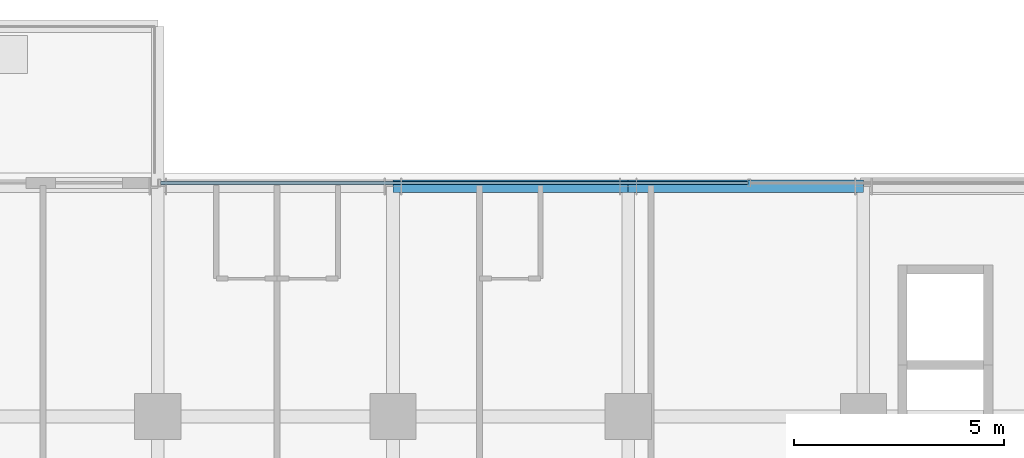
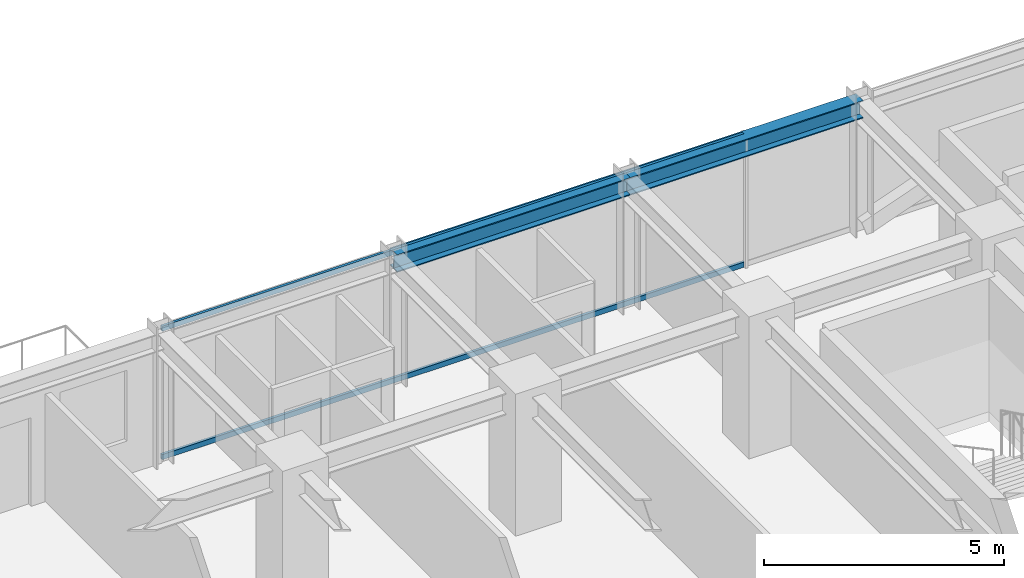
# One storey, part 20 of 32: 2 beams, 2 members, 1 element without a shape of its own.
"""IFC4 building model written with IfcOpenShell, lengths in metres."""

from ifc_helpers import new_model, si_unit, direction, frame, origin, origin_2d, place, context, subcontext, project, spatial, hollow_rectangle, i_section, extrude, source, transform, mapped, material, material_profile, profile_set, type_object, element, aggregate, save


model = new_model("IFC4")

# Units and contexts
model_context = context("Model", 3, precision=1e-05, world=origin(), true_north=direction((0.0, 1.0)))
body_context = subcontext(model_context, "Body", "Model", "MODEL_VIEW")
ifc_project = project(units=[si_unit("LENGTHUNIT", "METRE"), si_unit("AREAUNIT", "SQUARE_METRE"), si_unit("VOLUMEUNIT", "CUBIC_METRE"), si_unit("PLANEANGLEUNIT", "RADIAN"), si_unit("MASSUNIT", "GRAM", prefix="KILO")], contexts=[model_context])

# Site, building, storey
site_placement = place(None, origin())
site = spatial("IfcSite", under=ifc_project, at=site_placement, CompositionType="ELEMENT")
building_placement = place(site_placement, origin())
building = spatial("IfcBuilding", under=site, at=building_placement, Name="Nahalor Promenade Grand Hotel", CompositionType="ELEMENT")
storey_placement = place(building_placement, frame((0.0, 0.0, 152.64990234375)))
storey = spatial("IfcBuildingStorey", under=building, at=storey_placement, Name="L38", CompositionType="ELEMENT", Elevation=152.64990234375)

# Beams
ifc_material_1 = material(Name="Steel S355JR", Category="steel")
ifc_material_profile_1 = material_profile(ifc_material_1, i_section(OverallWidth=0.3, OverallDepth=0.45, WebThickness=0.014, FlangeThickness=0.026, at=origin_2d()), Name="HEB 450")
ifc_profile_set_1 = profile_set([ifc_material_profile_1], Name="Steel S355JR")
beam_type = type_object("IfcBeamType", Name="Beam-Spandrel-HEB450", PredefinedType="SPANDREL", material=ifc_profile_set_1)
shared_shape_1 = source(origin(), body_context, "Body", "SweptSolid", [
    extrude(i_section(OverallWidth=0.3, OverallDepth=0.45, WebThickness=0.014, FlangeThickness=0.026, at=origin_2d()), origin(), (0.0, 0.0, 1.0), 5.599853515625),
])
beam_1_placement = place(storey_placement, frame((2.800048828125, 22.47998046875, 3.1650390625), z_axis=(1.0, 0.0, 0.0), x_axis=(0.0, 1.0, 0.0)))
element("IfcBeam", 1, at=beam_1_placement, inside=storey, type_object=beam_type, Name="BM-L38-SP-N-3", PredefinedType="SPANDREL", context=body_context, shape_type="MappedRepresentation", body=[
    mapped(shared_shape_1, transform((0.0, 0.0, 0.0), scale=1.0)),
])
shared_shape_2 = source(origin(), body_context, "Body", "SweptSolid", [
    extrude(i_section(OverallWidth=0.3, OverallDepth=0.45, WebThickness=0.014, FlangeThickness=0.026, at=origin_2d()), origin(), (0.0, 0.0, 1.0), 5.60009765625),
])
beam_2_placement = place(storey_placement, frame((-2.800048828125, 22.47998046875, 3.1650390625), z_axis=(1.0, 0.0, 0.0), x_axis=(0.0, 1.0, 0.0)))
element("IfcBeam", 2, at=beam_2_placement, inside=storey, type_object=beam_type, Name="BM-L38-SP-N-2", PredefinedType="SPANDREL", context=body_context, shape_type="MappedRepresentation", body=[
    mapped(shared_shape_2, transform((0.0, 0.0, 0.0), scale=1.0)),
])

# Curtain wall, members
ifc_material_2 = material(Name="Anodised Bronze Aluminium EN AW-6063 T6", Category="aluminium")
curtain_wall_type = type_object("IfcCurtainWallType", Name="CW2 Typical Hotel Flush Bronze Unitised Curtain Wall", PredefinedType="USERDEFINED", material=ifc_material_2)
curtain_wall_placement = place(storey_placement, origin())
curtain_wall = element("IfcCurtainWall", 3, at=curtain_wall_placement, inside=storey, type_object=curtain_wall_type, Name="L38 Curtain Wall CW-L38-N-3", ObjectType="UNITISED_CURTAIN_WALL", PredefinedType="USERDEFINED")
ifc_material_profile_2 = material_profile(ifc_material_2, hollow_rectangle(XDim=0.065, YDim=0.13, WallThickness=0.004, at=origin_2d()), Name="CWT 65x130x4")
ifc_profile_set_2 = profile_set([ifc_material_profile_2], Name="Anodised Bronze Aluminium EN AW-6063 T6")
member_type = type_object("IfcMemberType", Name="CWT2 Typical Bronze Transom 65x130", PredefinedType="USERDEFINED", material=ifc_profile_set_2)
shared_shape_3 = source(origin(), body_context, "Body", "SweptSolid", [
    extrude(hollow_rectangle(XDim=0.065, YDim=0.13, WallThickness=0.004, at=origin_2d()), origin(), (0.0, 0.0, 1.0), 13.982421875),
])
member_1_placement = place(storey_placement, frame((-8.3349609375, 22.56005859375, 0.065185546875), z_axis=(1.0, 0.0, 0.0), x_axis=(0.0, 1.0, 0.0)))
member_1 = element("IfcMember", 4, at=member_1_placement, type_object=member_type, Name="CW-L38-N-3 Transom 0-0", ObjectType="TRANSOM", PredefinedType="USERDEFINED", context=body_context, shape_type="MappedRepresentation", body=[
    mapped(shared_shape_3, transform((0.0, 0.0, 0.0), scale=1.0)),
])
member_2_placement = place(storey_placement, frame((-8.3349609375, 22.56005859375, 3.3251953125), z_axis=(1.0, 0.0, 0.0), x_axis=(0.0, 1.0, 0.0)))
member_2 = element("IfcMember", 5, at=member_2_placement, type_object=member_type, Name="CW-L38-N-3 Transom 0-1", ObjectType="TRANSOM", PredefinedType="USERDEFINED", context=body_context, shape_type="MappedRepresentation", body=[
    mapped(shared_shape_3, transform((0.0, 0.0, 0.0), scale=1.0)),
])
aggregate(curtain_wall, [member_1, member_2])

save(model, "model.ifc")
